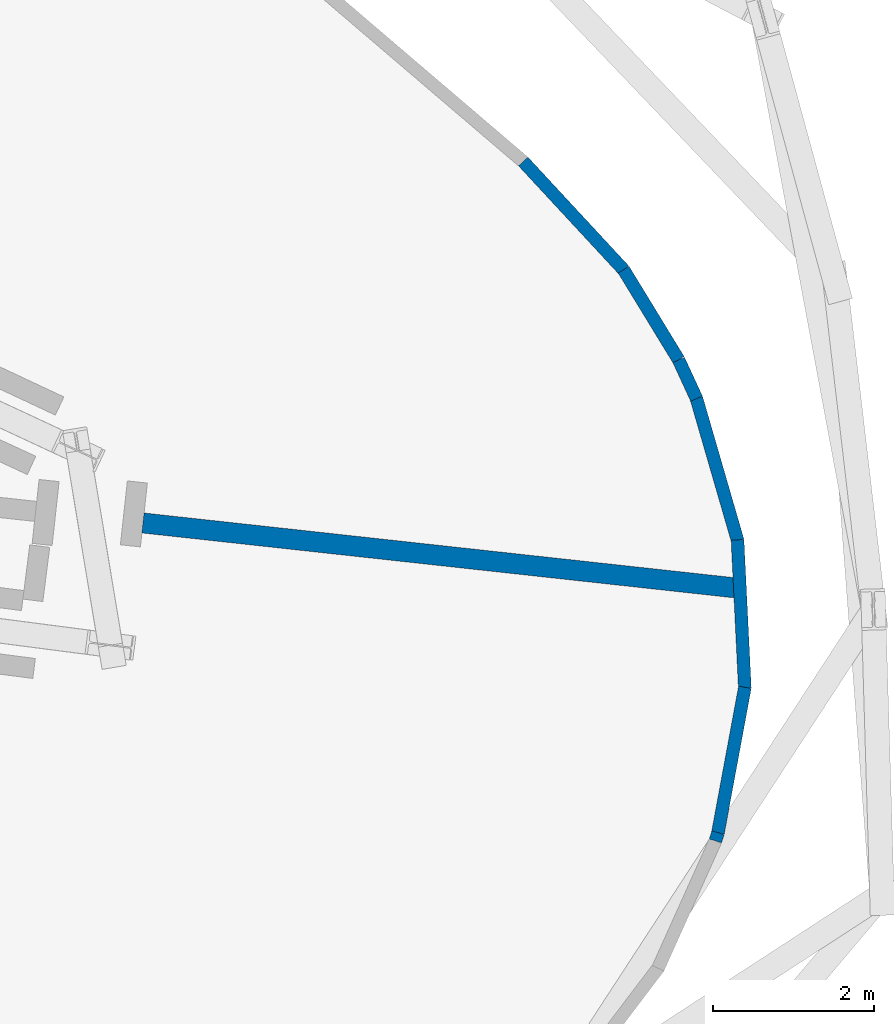
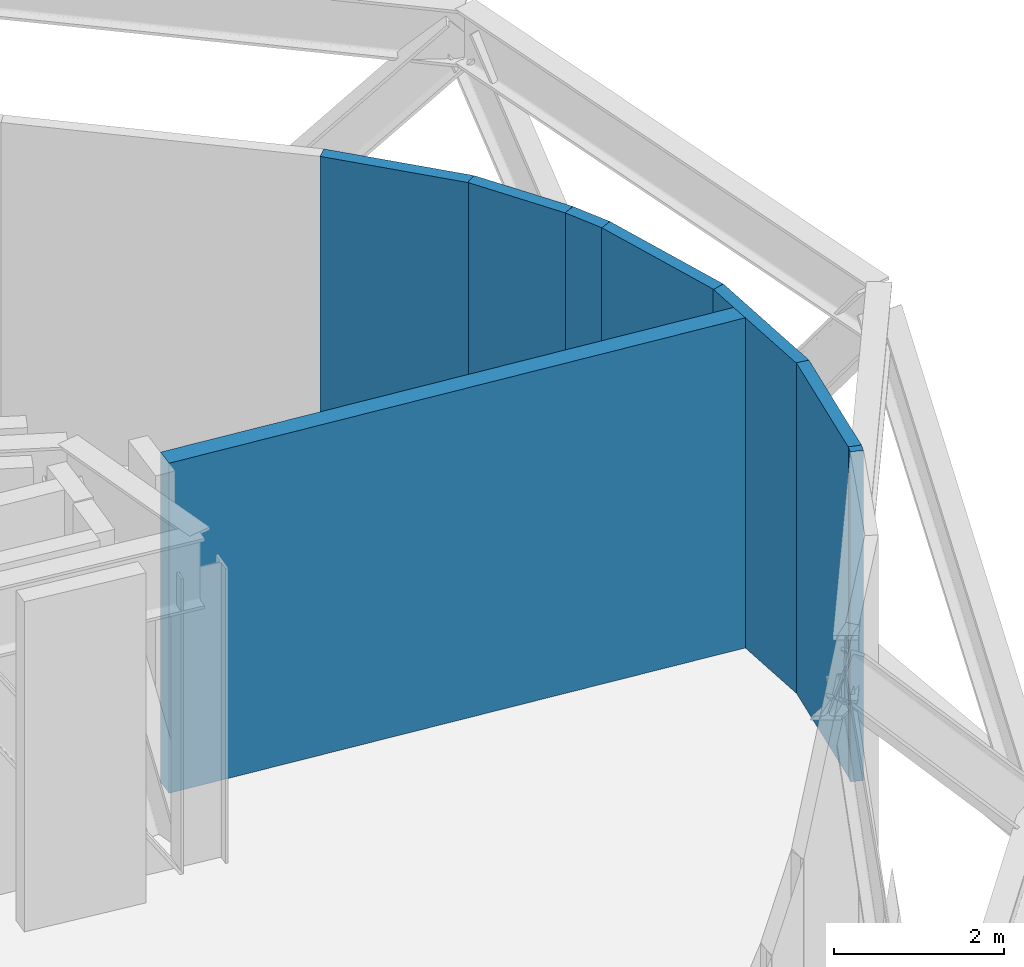
# One storey, part 8 of 12: 8 walls.
"""IFC4 building model written with IfcOpenShell, lengths in metres."""

import ifcopenshell
import ifcopenshell.guid

model = None  # the IFC model being written
_history = None  # IfcOwnerHistory: only IFC2X3 demands one
_inside = {}  # id of a spatial element -> (the spatial element, [elements in it])
_under = {}  # id of a project, library or spatial element -> (it, [spatial elements below it])
_declared = {}  # id of a project -> (the project, [libraries it declares])
_typed = {}  # id of a type object -> (the type object, [elements of that type])
_made_of = {}  # id of a material, layer set ... -> (it, [elements and type objects made of it])


def new_model(schema):
    """Start an empty IFC model of exactly this schema.

    Asked for "IFC4X3", IfcOpenShell would pick the latest addendum, in which some entities
    have other attributes; the version numbers below select the first issue.
    IFC2X3 requires an IfcOwnerHistory on every rooted entity: one is made here for all.
    """
    global model, _history
    if schema == "IFC4X3":
        model = ifcopenshell.file(schema_version=(4, 3, 0, 0))
    else:
        model = ifcopenshell.file(schema=schema)
    _inside.clear()
    _under.clear()
    _declared.clear()
    _typed.clear()
    _made_of.clear()
    _history = None
    if model.schema == "IFC2X3":
        org = make("IfcOrganization", Name="unknown")
        user = make(
            "IfcPersonAndOrganization",
            ThePerson=make("IfcPerson", FamilyName="unknown"),
            TheOrganization=org,
        )
        app = make(
            "IfcApplication",
            ApplicationDeveloper=org,
            Version="unknown",
            ApplicationFullName="unknown",
            ApplicationIdentifier="unknown",
        )
        _history = make(
            "IfcOwnerHistory",
            OwningUser=user,
            OwningApplication=app,
            ChangeAction="ADDED",
            CreationDate=0,
        )
    return model


def make(cls, **values):
    """One entity of the class cls with the attributes given. An attribute that is None is left unset."""
    return model.create_entity(
        cls, **{name: value for name, value in values.items() if value is not None}
    )


def rooted(cls, **values):
    """An entity with a GlobalId (a new one), such as an element, a storey or a relation."""
    return make(cls, GlobalId=ifcopenshell.guid.new(), OwnerHistory=_history, **values)


def si_unit(unit_type, name, prefix=None):
    """IfcSIUnit, for example si_unit("LENGTHUNIT", "METRE", prefix="MILLI")."""
    return make("IfcSIUnit", UnitType=unit_type, Prefix=prefix, Name=name)


def assignment(units):
    """IfcUnitAssignment: the units of a project."""
    return None if units is None else make("IfcUnitAssignment", Units=units)


def point(xyz):
    """IfcCartesianPoint."""
    return None if xyz is None else make("IfcCartesianPoint", Coordinates=xyz)


def direction(xyz):
    """IfcDirection."""
    return None if xyz is None else make("IfcDirection", DirectionRatios=xyz)


def frame(location, z_axis=None, x_axis=None):
    """IfcAxis2Placement3D, a coordinate frame: its origin and axes. An axis left out is left unset."""
    return make(
        "IfcAxis2Placement3D",
        Location=point(location),
        Axis=direction(z_axis),
        RefDirection=direction(x_axis),
    )


def frame_2d(location, x_axis=None):
    """IfcAxis2Placement2D, a coordinate frame in the plane: its origin and x axis."""
    return make(
        "IfcAxis2Placement2D", Location=point(location), RefDirection=direction(x_axis)
    )


def origin():
    """The frame at (0, 0, 0) with its axes left unset."""
    return frame((0.0, 0.0, 0.0))


def place(relative_to, where):
    """IfcLocalPlacement: puts the frame where relative to a parent placement (None: the world)."""
    return make(
        "IfcLocalPlacement", PlacementRelTo=relative_to, RelativePlacement=where
    )


def context(
    kind, dimensions, precision=None, world=None, true_north=None, identifier=None
):
    """IfcGeometricRepresentationContext, for example the 3D "Model" context."""
    return make(
        "IfcGeometricRepresentationContext",
        ContextIdentifier=identifier,
        ContextType=kind,
        CoordinateSpaceDimension=dimensions,
        Precision=precision,
        WorldCoordinateSystem=world,
        TrueNorth=true_north,
    )


def subcontext(parent, identifier, kind, view, scale=None):
    """IfcGeometricRepresentationSubContext, for example "Body" below "Model"."""
    return make(
        "IfcGeometricRepresentationSubContext",
        ContextIdentifier=identifier,
        ContextType=kind,
        ParentContext=parent,
        TargetScale=scale,
        TargetView=view,
    )


def project(units=None, contexts=None):
    """IfcProject with its units and contexts."""
    return rooted(
        "IfcProject",
        Name="project",
        RepresentationContexts=contexts,
        UnitsInContext=assignment(units),
    )


def spatial(cls, under=None, at=None, **own):
    """A site, building, storey or space (cls), placed at a placement, below another one or the project."""
    s = rooted(cls, ObjectPlacement=at, **own)
    if under is not None:
        _under.setdefault(under.id(), (under, []))[1].append(s)
    return s


def profile(cls, at=None, kind="AREA", **sizes):
    """A parametric profile (cls). Its sizes go by their IFC names, for example OverallWidth=200.0."""
    return make(cls, ProfileType=kind, Position=at, **sizes)


def rectangle(**sizes):
    """IfcRectangleProfileDef."""
    return profile("IfcRectangleProfileDef", **sizes)


def extrude(swept, where, along, depth):
    """IfcExtrudedAreaSolid: the profile swept, set in the frame where, extruded along a direction by depth."""
    return make(
        "IfcExtrudedAreaSolid",
        SweptArea=swept,
        Position=where,
        ExtrudedDirection=direction(along),
        Depth=depth,
    )


def shape(context_of_items, identifier, shape_type, items):
    """IfcShapeRepresentation: the items that make up one representation, for example the "Body"."""
    return make(
        "IfcShapeRepresentation",
        ContextOfItems=context_of_items,
        RepresentationIdentifier=identifier,
        RepresentationType=shape_type,
        Items=items,
    )


def material(Name=None, Category=None):
    """IfcMaterial."""
    return make("IfcMaterial", Name=Name, Category=Category)


def layer(
    of_material, thickness, ventilated=None, Name=None, Category=None, Priority=None
):
    """IfcMaterialLayer: one layer of a wall or slab, of a material (None: an air gap)."""
    return make(
        "IfcMaterialLayer",
        Material=of_material,
        LayerThickness=thickness,
        IsVentilated=ventilated,
        Name=Name,
        Category=Category,
        Priority=Priority,
    )


def layer_set(layers, Name=None):
    """IfcMaterialLayerSet."""
    return make("IfcMaterialLayerSet", MaterialLayers=layers, LayerSetName=Name)


def made_of(thing, what):
    """Note that an element or type object is made of a material, layer set ...; save() writes the relation."""
    if what is not None:
        _made_of.setdefault(what.id(), (what, []))[1].append(thing)
    return thing


def type_object(cls, material=None, **own):
    """A type object (cls), such as IfcWallType, which elements share."""
    return made_of(rooted(cls, **own), material)


def element(
    cls,
    number,
    at=None,
    inside=None,
    cuts=None,
    type_object=None,
    material=None,
    context=None,
    identifier="Body",
    shape_type=None,
    held_by="IfcProductDefinitionShape",
    body=None,
    shapes=None,
    **own,
):
    """One element of the class cls, such as IfcWall. Its Tag is "e" and its number.

    at: its placement. inside: the storey or other place that contains it. cuts: it is an
    opening in that element (IfcRelVoidsElement). A single representation is given by context,
    identifier, shape_type and body (its items); several are given by shapes. held_by: the class
    of the entity that holds the representations. save() writes the other relations.
    """
    e = rooted(cls, Tag="e%d" % number, ObjectPlacement=at, **own)
    if body is not None:
        shapes = [shape(context, identifier, shape_type, body)]
    if shapes is not None:
        e.Representation = make(held_by, Representations=shapes)
    if inside is not None:
        _inside.setdefault(inside.id(), (inside, []))[1].append(e)
    if cuts is not None:
        rooted(
            "IfcRelVoidsElement", RelatingBuildingElement=cuts, RelatedOpeningElement=e
        )
    if type_object is not None:
        _typed.setdefault(type_object.id(), (type_object, []))[1].append(e)
    return made_of(e, material)


def aggregate(whole, parts):
    """IfcRelAggregates: a whole, such as a stair, and the parts it consists of."""
    return rooted("IfcRelAggregates", RelatingObject=whole, RelatedObjects=parts)


def save(model, path):
    """Write the relations noted so far, then the file.

    IfcRelAggregates (storeys below a building ...), IfcRelContainedInSpatialStructure (elements
    in a storey), IfcRelDefinesByType, IfcRelAssociatesMaterial and IfcRelDeclares: one each for
    every whole, place, type object, material and project.
    """
    for whole, parts in _under.values():
        aggregate(whole, parts)
    for where, things in _inside.values():
        rooted(
            "IfcRelContainedInSpatialStructure",
            RelatedElements=things,
            RelatingStructure=where,
        )
    for kind, things in _typed.values():
        rooted("IfcRelDefinesByType", RelatedObjects=things, RelatingType=kind)
    for what, things in _made_of.values():
        rooted("IfcRelAssociatesMaterial", RelatedObjects=things, RelatingMaterial=what)
    for by, libraries in _declared.values():
        rooted("IfcRelDeclares", RelatingContext=by, RelatedDefinitions=libraries)
    model.write(path)


model = new_model("IFC4")

# Units and contexts
model_context = context("Model", 3, precision=1e-05, world=origin(), true_north=direction((0.0, 1.0)))
body_context = subcontext(model_context, "Body", "Model", "MODEL_VIEW")
ifc_project = project(units=[si_unit("LENGTHUNIT", "METRE"), si_unit("AREAUNIT", "SQUARE_METRE"), si_unit("VOLUMEUNIT", "CUBIC_METRE"), si_unit("PLANEANGLEUNIT", "RADIAN"), si_unit("MASSUNIT", "GRAM", prefix="KILO")], contexts=[model_context])

# Site, building, storey
site_placement = place(None, origin())
site = spatial("IfcSite", under=ifc_project, at=site_placement, CompositionType="ELEMENT")
building_placement = place(site_placement, origin())
building = spatial("IfcBuilding", under=site, at=building_placement, Name="Spindle Arch Residences", CompositionType="ELEMENT")
storey_placement = place(building_placement, frame((0.0, 0.0, 183.199951171875)))
storey = spatial("IfcBuildingStorey", under=building, at=storey_placement, Name="L46", CompositionType="ELEMENT", Elevation=183.199951171875)

# Walls
ifc_material_1 = material(Name="Non-combustible mineral wool insulated aluminium faced external wall (K0)", Category="aluminium")
ifc_layer_1 = layer(ifc_material_1, 0.159912109375)
ifc_layer_set_1 = layer_set([ifc_layer_1], Name="Insulated external wall panel 160")
wall_type_1 = type_object("IfcWallType", Name="Insulated external wall panel 160", PredefinedType="STANDARD", material=ifc_layer_set_1)
wall_1_placement = place(storey_placement, frame((28.248291015625, -6.27734375, 0.0), z_axis=(0.0, 0.0, 1.0), x_axis=(0.302644266981, 0.953103587058, 0.0)))
element("IfcWall", 1, at=wall_1_placement, inside=storey, type_object=wall_type_1, Name="Plant wall L46 bay 4.1", PredefinedType="STANDARD", context=body_context, shape_type="SweptSolid", body=[
    extrude(rectangle(XDim=0.108154296875, YDim=0.159912109375, at=frame_2d((0.05419921875, 0.0))), origin(), (0.0, 0.0, 1.0), 4.75),
])
wall_2_placement = place(storey_placement, frame((28.27978515625, -6.178955078125, 0.0), z_axis=(0.0, 0.0, 1.0), x_axis=(0.182236062602, 0.983254808016, 0.0)))
element("IfcWall", 2, at=wall_2_placement, inside=storey, type_object=wall_type_1, Name="Plant wall L46 bay 4.2", PredefinedType="STANDARD", context=body_context, shape_type="SweptSolid", body=[
    extrude(rectangle(XDim=1.84619140625, YDim=0.159912109375, at=frame_2d((0.923095703125, 0.0))), origin(), (0.0, 0.0, 1.0), 4.75),
])
wall_3_placement = place(storey_placement, frame((28.615478515625, -4.373046875, 0.0), z_axis=(0.0, 0.0, 1.0), x_axis=(-0.049272179595, 0.998785388518, 0.0)))
element("IfcWall", 3, at=wall_3_placement, inside=storey, type_object=wall_type_1, Name="Plant wall L46 bay 4.3", PredefinedType="STANDARD", context=body_context, shape_type="SweptSolid", body=[
    extrude(rectangle(XDim=1.84814453125, YDim=0.159912109375, at=frame_2d((0.924072265625, 0.0))), origin(), (0.0, 0.0, 1.0), 4.75),
])
wall_4_placement = place(storey_placement, frame((28.52587890625, -2.536376953125, 0.0), z_axis=(0.0, 0.0, 1.0), x_axis=(-0.278420792997, 0.960459193317, 0.0)))
element("IfcWall", 4, at=wall_4_placement, inside=storey, type_object=wall_type_1, Name="Plant wall L46 bay 4.4", PredefinedType="STANDARD", context=body_context, shape_type="SweptSolid", body=[
    extrude(rectangle(XDim=1.8466796875, YDim=0.159912109375, at=frame_2d((0.92333984375, 0.0))), origin(), (0.0, 0.0, 1.0), 4.75),
])
wall_5_placement = place(storey_placement, frame((28.013916015625, -0.768310546875, 0.0), z_axis=(0.0, 0.0, 1.0), x_axis=(-0.418883410895, 0.908040025592, 0.0)))
element("IfcWall", 5, at=wall_5_placement, inside=storey, type_object=wall_type_1, Name="Plant wall L46 bay 4.5", PredefinedType="STANDARD", context=body_context, shape_type="SweptSolid", body=[
    extrude(rectangle(XDim=0.531494140625, YDim=0.159912109375, at=frame_2d((0.265625, 0.0))), origin(), (0.0, 0.0, 1.0), 4.75),
])
wall_6_placement = place(storey_placement, frame((27.791259765625, -0.28564453125, 0.0), z_axis=(0.0, 0.0, 1.0), x_axis=(-0.521105033846, 0.853492556324, 0.0)))
element("IfcWall", 6, at=wall_6_placement, inside=storey, type_object=wall_type_1, Name="Plant wall L46 bay 5.1", PredefinedType="STANDARD", context=body_context, shape_type="SweptSolid", body=[
    extrude(rectangle(XDim=1.31689453125, YDim=0.159912109375, at=frame_2d((0.658447265625, 0.0))), origin(), (0.0, 0.0, 1.0), 4.75),
])
wall_7_placement = place(storey_placement, frame((27.109619140625, 0.83203125, 0.0), z_axis=(0.0, 0.0, 1.0), x_axis=(-0.679806325686, 0.733391682226, 0.0)))
element("IfcWall", 7, at=wall_7_placement, inside=storey, type_object=wall_type_1, Name="Plant wall L46 bay 5.2", PredefinedType="STANDARD", context=body_context, shape_type="SweptSolid", body=[
    extrude(rectangle(XDim=1.84521484375, YDim=0.159912109375, at=frame_2d((0.922607421875, 0.0))), origin(), (0.0, 0.0, 1.0), 4.75),
])
ifc_material_2 = material(Name="Concrete C25/30 wall", Category="concrete")
ifc_layer_2 = layer(ifc_material_2, 0.25)
ifc_layer_set_2 = layer_set([ifc_layer_2], Name="Partition EI 120 250 plant")
wall_type_2 = type_object("IfcWallType", Name="Partition EI 120 250 plant", PredefinedType="PARTITIONING", material=ifc_layer_set_2)
wall_8_placement = place(storey_placement, frame((21.118408203125, -2.317138671875, 0.0), z_axis=(0.0, 0.0, 1.0), x_axis=(0.994052596122, -0.108901038305, 0.0)))
element("IfcWall", 8, at=wall_8_placement, inside=storey, type_object=wall_type_2, Name="L46-W077", PredefinedType="PARTITIONING", context=body_context, shape_type="SweptSolid", body=[
    extrude(rectangle(XDim=7.4765625, YDim=0.25, at=frame_2d((3.73828125, 0.0))), origin(), (0.0, 0.0, 1.0), 4.75),
])

save(model, "model.ifc")
